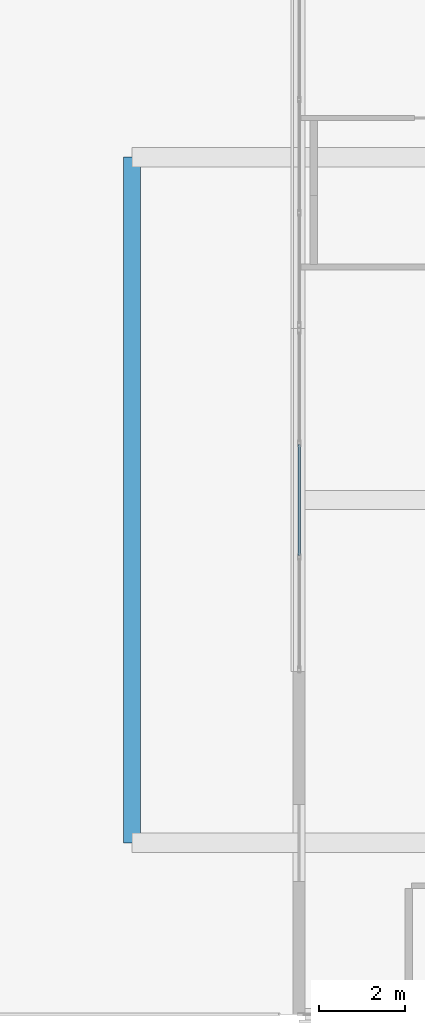
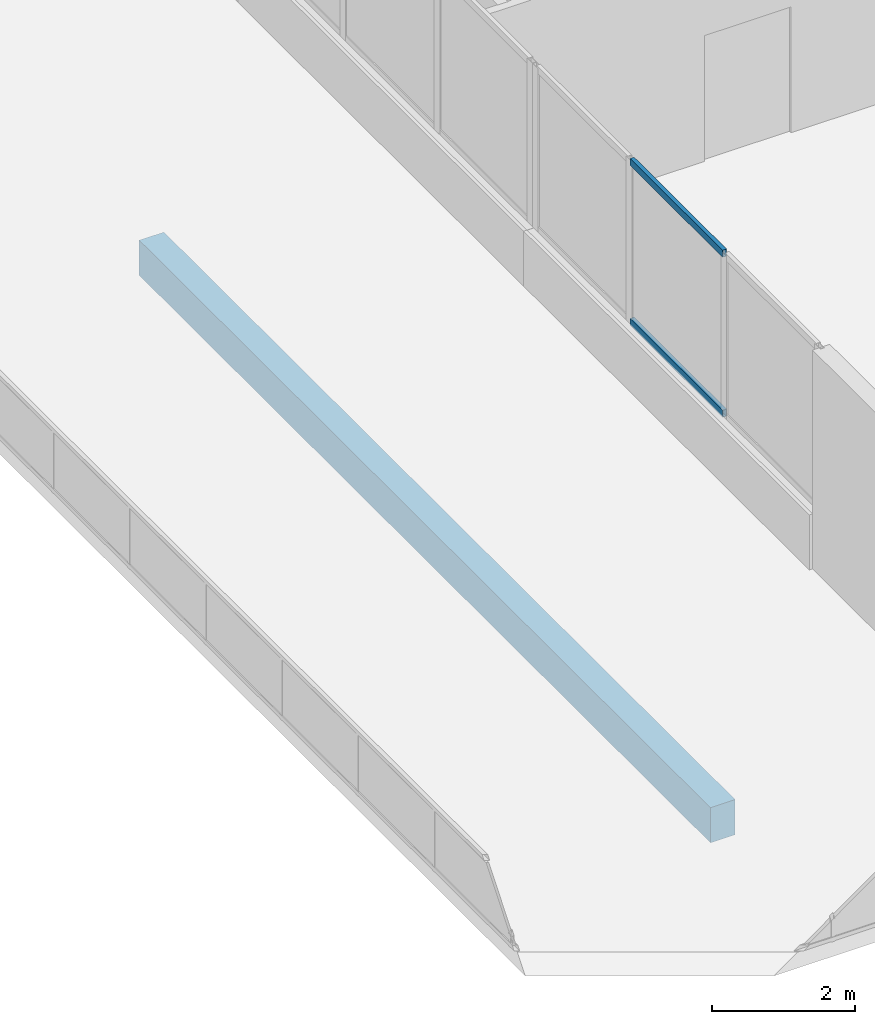
# One storey, part 7 of 67: 2 members, 1 beam, 1 element without a shape of its own.
"""IFC4 building model written with IfcOpenShell, lengths in metres."""

from ifc_helpers import new_model, si_unit, direction, frame, origin, origin_2d, place, context, subcontext, project, spatial, rectangle, hollow_rectangle, extrude, material, material_profile, profile_set, type_object, element, aggregate, save


model = new_model("IFC4")

# Units and contexts
model_context = context("Model", 3, precision=1e-05, world=origin(), true_north=direction((0.0, 1.0)))
body_context = subcontext(model_context, "Body", "Model", "MODEL_VIEW")
ifc_project = project(units=[si_unit("LENGTHUNIT", "METRE"), si_unit("AREAUNIT", "SQUARE_METRE"), si_unit("VOLUMEUNIT", "CUBIC_METRE"), si_unit("PLANEANGLEUNIT", "RADIAN"), si_unit("MASSUNIT", "GRAM", prefix="KILO")], contexts=[model_context])

# Site, building, storey
site_placement = place(None, origin())
site = spatial("IfcSite", under=ifc_project, at=site_placement, CompositionType="ELEMENT")
building_placement = place(site_placement, origin())
building = spatial("IfcBuilding", under=site, at=building_placement, Name="Selatvlak General Hospital", CompositionType="ELEMENT")
storey_placement = place(building_placement, frame((0.0, 0.0, 35.39990234375)))
storey = spatial("IfcBuildingStorey", under=building, at=storey_placement, Name="L08", CompositionType="ELEMENT", Elevation=35.39990234375)

# Beam
ifc_material_1 = material(Name="Concrete C40/50", Category="concrete")
ifc_material_profile_1 = material_profile(ifc_material_1, rectangle(XDim=0.39990234375, YDim=0.60009765625, at=origin_2d()), Name="RC-BM 400x600")
ifc_profile_set_1 = profile_set([ifc_material_profile_1], Name="Concrete C40/50")
beam_type = type_object("IfcBeamType", Name="BM-G05", PredefinedType="BEAM", material=ifc_profile_set_1)
beam_placement = place(storey_placement, frame((27.300048828125, 92.0, -0.572021484375), z_axis=(0.0, 1.0, 0.0), x_axis=(-1.0, 0.0, 0.0)))
element("IfcBeam", 1, at=beam_placement, inside=storey, type_object=beam_type, Name="Beam BMR-L08-2638", PredefinedType="BEAM", context=body_context, shape_type="SweptSolid", body=[
    extrude(rectangle(XDim=0.39990234375, YDim=0.60009765625, at=origin_2d()), origin(), (0.0, 0.0, 1.0), 16.0),
])

# Curtain wall, members
ifc_material_2 = material(Name="Solar-control Low-E double glazing", Category="glass")
curtain_wall_type = type_object("IfcCurtainWallType", Name="CW-CW-01", PredefinedType="USERDEFINED", material=ifc_material_2)
curtain_wall_placement = place(storey_placement, origin())
curtain_wall = element("IfcCurtainWall", 2, at=curtain_wall_placement, inside=storey, type_object=curtain_wall_type, Name="Glazed facade curtain wall CW-L08-0680", ObjectType="UNITISED CURTAIN WALL", PredefinedType="USERDEFINED")
ifc_material_3 = material(Name="Dark anodised aluminium mullion", Category="aluminium")
ifc_material_profile_2 = material_profile(ifc_material_3, hollow_rectangle(XDim=0.06494140625, YDim=0.1201171875, WallThickness=0.00390625, at=origin_2d()), Name="AL-TRN 65x120x4")
ifc_profile_set_2 = profile_set([ifc_material_profile_2], Name="Dark anodised aluminium mullion")
member_type = type_object("IfcMemberType", Name="CWT-01", PredefinedType="USERDEFINED", material=ifc_profile_set_2)
member_1_placement = place(storey_placement, frame((31.199951171875, 98.703857421875, 0.97265625), z_axis=(0.0, 1.0, 0.0), x_axis=(-1.0, 0.0, 0.0)))
member_1 = element("IfcMember", 3, at=member_1_placement, type_object=member_type, Name="CW-01 transom 2.1", ObjectType="TRANSOM", PredefinedType="USERDEFINED", context=body_context, shape_type="SweptSolid", body=[
    extrude(hollow_rectangle(XDim=0.06494140625, YDim=0.1201171875, WallThickness=0.00390625, at=origin_2d()), origin(), (0.0, 0.0, 1.0), 2.59130859375),
])
member_2_placement = place(storey_placement, frame((31.199951171875, 98.703857421875, 3.70751953125), z_axis=(0.0, 1.0, 0.0), x_axis=(-1.0, 0.0, 0.0)))
member_2 = element("IfcMember", 4, at=member_2_placement, type_object=member_type, Name="CW-01 transom 2.2", ObjectType="TRANSOM", PredefinedType="USERDEFINED", context=body_context, shape_type="SweptSolid", body=[
    extrude(hollow_rectangle(XDim=0.06494140625, YDim=0.1201171875, WallThickness=0.00390625, at=origin_2d()), origin(), (0.0, 0.0, 1.0), 2.59130859375),
])
aggregate(curtain_wall, [member_1, member_2])

save(model, "model.ifc")
